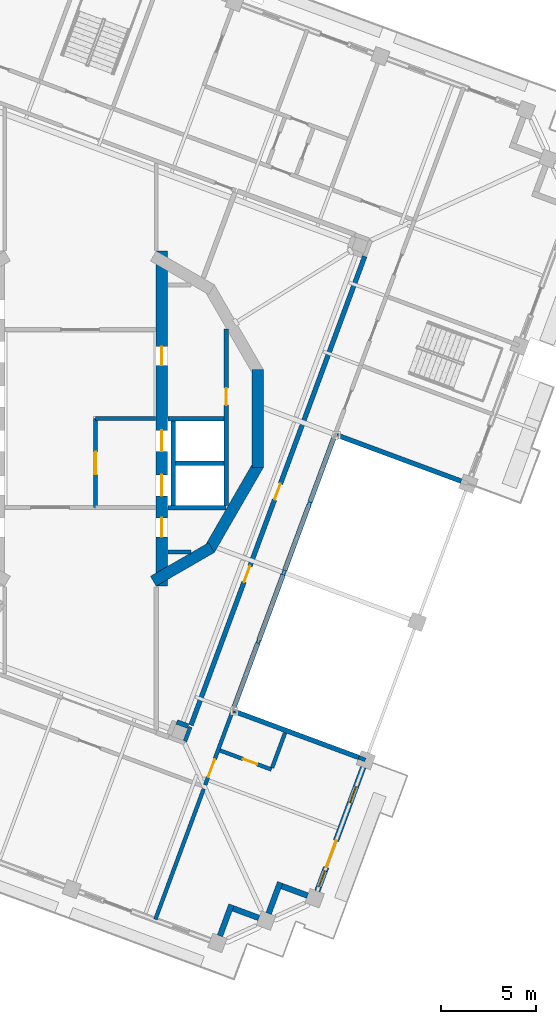
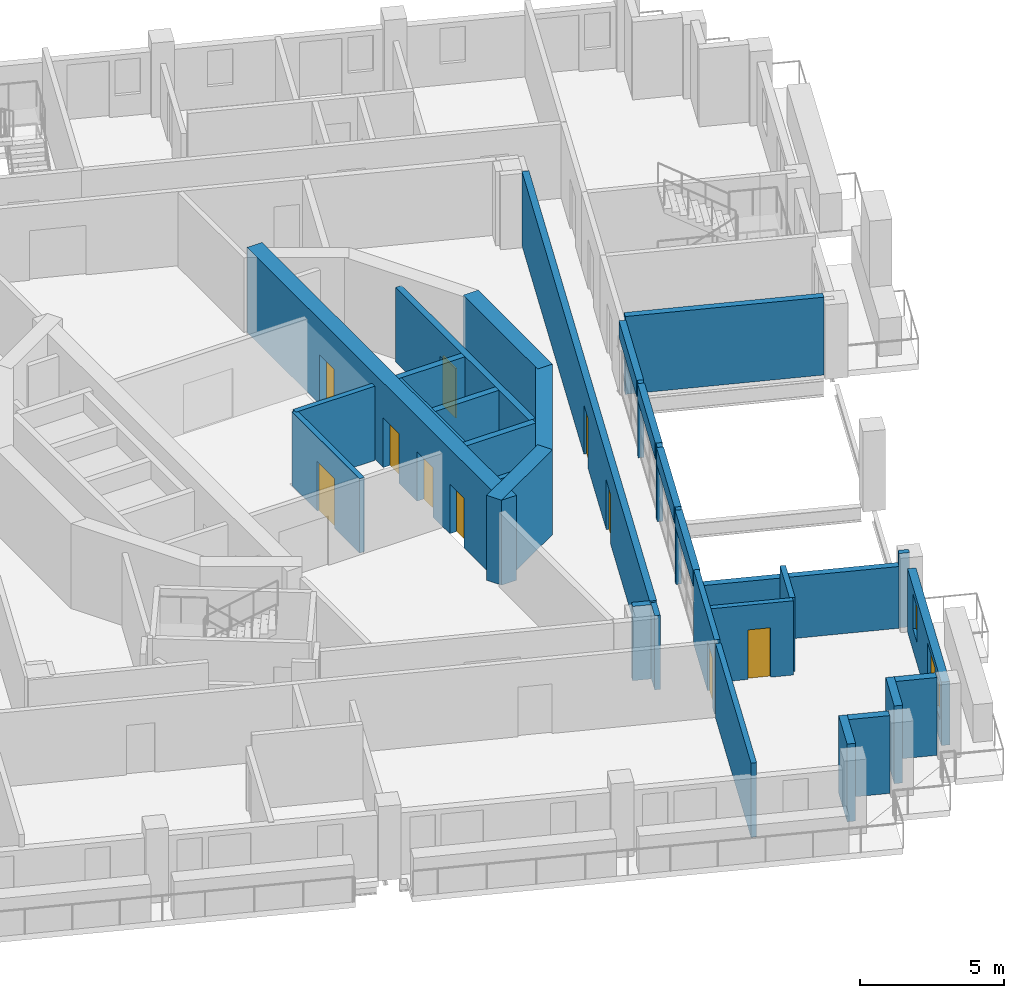
# One storey, part 7 of 19: 34 walls, 11 doors, 2 windows, 13 openings.
"""IFC4 building model written with IfcOpenShell, lengths in metres."""

from ifc_helpers import new_model, si_unit, direction, frame, frame_2d, origin, place, context, subcontext, project, spatial, rectangle, extrude, material, layer, layer_set, type_object, element, fill, save


model = new_model("IFC4")

# Units and contexts
model_context = context("Model", 3, precision=1e-05, world=origin(), true_north=direction((0.0, 1.0)))
body_context = subcontext(model_context, "Body", "Model", "MODEL_VIEW")
ifc_project = project(units=[si_unit("LENGTHUNIT", "METRE"), si_unit("AREAUNIT", "SQUARE_METRE"), si_unit("VOLUMEUNIT", "CUBIC_METRE"), si_unit("PLANEANGLEUNIT", "RADIAN"), si_unit("MASSUNIT", "GRAM", prefix="KILO")], contexts=[model_context])

# Site, building, storey
site_placement = place(None, origin())
site = spatial("IfcSite", under=ifc_project, at=site_placement, CompositionType="ELEMENT")
building_placement = place(site_placement, origin())
building = spatial("IfcBuilding", under=site, at=building_placement, Name="Cantera Rosa Tower", CompositionType="ELEMENT")
storey_placement = place(building_placement, frame((0.0, 0.0, 342.10009765625)))
storey = spatial("IfcBuildingStorey", under=building, at=storey_placement, Name="L77", CompositionType="ELEMENT", Elevation=342.10009765625)

# Wall
ifc_material_1 = material(Name="Gypsum board partition")
ifc_layer_1 = layer(ifc_material_1, 0.199951171875)
ifc_layer_set_1 = layer_set([ifc_layer_1], Name="CORRIDOR WALL 200 H3150")
wall_type_1 = type_object("IfcWallType", Name="CORRIDOR WALL 200 H3150", PredefinedType="PARTITIONING", material=ifc_layer_set_1)
wall_1_placement = place(storey_placement, frame((5.526123046875, -17.031494140625, 0.0), z_axis=(0.0, 0.0, 1.0), x_axis=(0.34764237862, 0.93762720555, 0.0)))
element("IfcWall", 1, at=wall_1_placement, inside=storey, type_object=wall_type_1, Name="CORRIDOR WALL L77-065", PredefinedType="PARTITIONING", context=body_context, shape_type="SweptSolid", body=[
    extrude(rectangle(XDim=0.7998046875, YDim=0.199951171875, at=frame_2d((0.39990234375, 0.0))), origin(), (0.0, 0.0, 1.0), 3.14990234375),
])

# Wall, opening, door
wall_2_placement = place(storey_placement, frame((6.588623046875, -19.3447265625, 0.0), z_axis=(0.0, 0.0, 1.0), x_axis=(0.347478742079, 0.93768786054, 0.0)))
wall_2 = element("IfcWall", 2, at=wall_2_placement, inside=storey, type_object=wall_type_1, Name="CORRIDOR WALL L77-071", PredefinedType="PARTITIONING", context=body_context, shape_type="SweptSolid", body=[
    extrude(rectangle(XDim=4.304931640625, YDim=0.199951171875, at=frame_2d((2.15234375, 0.0))), origin(), (0.0, 0.0, 1.0), 3.14990234375),
])
opening_1_placement = place(wall_2_placement, frame((0.43994140625, 0.0, 0.0)))
opening_1 = element("IfcOpeningElement", 3, at=opening_1_placement, cuts=wall_2, Name="Opening L77-036", PredefinedType="OPENING", context=body_context, shape_type="SweptSolid", body=[
    extrude(rectangle(XDim=1.0, YDim=2.10009765625, at=frame_2d((0.5, 1.050048828125))), frame((0.0, 0.10986328125, 0.0), z_axis=(0.0, -1.0, 0.0), x_axis=(1.0, 0.0, 0.0)), (0.0, 0.0, 1.0), 0.219970703125),
])
ifc_material_2 = material(Name="Timber door leaf", Category="wood")
door_type_1 = type_object("IfcDoorType", Name="ENTRANCE DOOR 1000x2100", OperationType="NOTDEFINED", PredefinedType="DOOR", material=ifc_material_2)
door_1_placement = place(opening_1_placement, origin())
door_1 = element("IfcDoor", 4, at=door_1_placement, inside=storey, type_object=door_type_1, Name="DOOR L77-036", OperationType="NOTDEFINED", OverallHeight=2.10009765625, OverallWidth=1.0, PredefinedType="DOOR", context=body_context, shape_type="SweptSolid", body=[
    extrude(rectangle(XDim=1.0, YDim=2.10009765625, at=frame_2d((0.5, 1.050048828125))), frame((0.0, 0.02490234375, 0.0), z_axis=(0.0, -1.0, 0.0), x_axis=(1.0, 0.0, 0.0)), (0.0, 0.0, 1.0), 0.050048828125),
])
fill(opening_1, door_1)

# Walls
wall_3_placement = place(storey_placement, frame((9.359130859375, -11.86865234375, 0.0), z_axis=(0.0, 0.0, 1.0), x_axis=(0.347396343458, 0.937718390857, 0.0)))
element("IfcWall", 5, at=wall_3_placement, inside=storey, type_object=wall_type_1, Name="CORRIDOR WALL L77-072", PredefinedType="PARTITIONING", context=body_context, shape_type="SweptSolid", body=[
    extrude(rectangle(XDim=0.19384765625, YDim=0.199951171875, at=frame_2d((0.096923828125, 0.0))), origin(), (0.0, 0.0, 1.0), 3.14990234375),
])
wall_4_placement = place(storey_placement, frame((10.69775390625, -8.256103515625, 0.0), z_axis=(0.0, 0.0, 1.0), x_axis=(0.347639521276, 0.937628264957, 0.0)))
element("IfcWall", 6, at=wall_4_placement, inside=storey, type_object=wall_type_1, Name="CORRIDOR WALL L77-073", PredefinedType="PARTITIONING", context=body_context, shape_type="SweptSolid", body=[
    extrude(rectangle(XDim=0.26904296875, YDim=0.199951171875, at=frame_2d((0.134521484375, 0.0))), origin(), (0.0, 0.0, 1.0), 3.14990234375),
])
wall_5_placement = place(storey_placement, frame((12.0625, -4.573486328125, 0.0), z_axis=(0.0, 0.0, 1.0), x_axis=(0.347396343458, 0.937718390857, 0.0)))
element("IfcWall", 7, at=wall_5_placement, inside=storey, type_object=wall_type_1, Name="CORRIDOR WALL L77-074", PredefinedType="PARTITIONING", context=body_context, shape_type="SweptSolid", body=[
    extrude(rectangle(XDim=0.19384765625, YDim=0.199951171875, at=frame_2d((0.096923828125, 0.0))), origin(), (0.0, 0.0, 1.0), 3.14990234375),
])
ifc_material_3 = material(Name="Hollow clay masonry with cantera stone cladding", Category="masonry")
ifc_layer_2 = layer(ifc_material_3, 0.300048828125)
ifc_layer_set_2 = layer_set([ifc_layer_2], Name="EW-LOGGIA 300")
wall_type_2 = type_object("IfcWallType", Name="EW-LOGGIA 300", PredefinedType="SOLIDWALL", material=ifc_layer_set_2)
wall_6_placement = place(storey_placement, frame((7.36865234375, -27.312255859375, 0.0), z_axis=(0.0, 0.0, 1.0), x_axis=(0.34752790836, 0.937669639538, 0.0)))
element("IfcWall", 8, at=wall_6_placement, inside=storey, type_object=wall_type_2, Name="EN-L77-W18a", PredefinedType="SOLIDWALL", context=body_context, shape_type="SweptSolid", body=[
    extrude(rectangle(XDim=1.75, YDim=0.300048828125, at=frame_2d((0.875, 0.0))), origin(), (0.0, 0.0, 1.0), 3.2998046875),
])
wall_7_placement = place(storey_placement, frame((8.065185546875, -25.8642578125, 0.0), z_axis=(0.0, 0.0, 1.0), x_axis=(0.937671557958, -0.347522732201, 0.0)))
element("IfcWall", 9, at=wall_7_placement, inside=storey, type_object=wall_type_2, Name="EN-L77-W18b", PredefinedType="SOLIDWALL", context=body_context, shape_type="SweptSolid", body=[
    extrude(rectangle(XDim=1.449951171875, YDim=0.300048828125, at=frame_2d((0.72509765625, 0.0))), origin(), (0.0, 0.0, 1.0), 3.2998046875),
])
wall_8_placement = place(storey_placement, frame((9.93896484375, -26.132080078125, 0.0), z_axis=(0.0, 0.0, 1.0), x_axis=(0.34748245117, 0.937686486054, 0.0)))
element("IfcWall", 10, at=wall_8_placement, inside=storey, type_object=wall_type_2, Name="EN-L77-W19a", PredefinedType="SOLIDWALL", context=body_context, shape_type="SweptSolid", body=[
    extrude(rectangle(XDim=1.750244140625, YDim=0.300048828125, at=frame_2d((0.875, 0.0))), origin(), (0.0, 0.0, 1.0), 3.2998046875),
])
wall_9_placement = place(storey_placement, frame((10.635498046875, -24.683837890625, 0.0), z_axis=(0.0, 0.0, 1.0), x_axis=(0.937671557958, -0.347522732201, 0.0)))
element("IfcWall", 11, at=wall_9_placement, inside=storey, type_object=wall_type_2, Name="EN-L77-W19b", PredefinedType="SOLIDWALL", context=body_context, shape_type="SweptSolid", body=[
    extrude(rectangle(XDim=1.449951171875, YDim=0.300048828125, at=frame_2d((0.72509765625, 0.0))), origin(), (0.0, 0.0, 1.0), 3.2998046875),
])

# Wall, openings, windows, door
ifc_material_4 = material(Name="Hollow clay masonry with cantera stone cladding", Category="masonry")
ifc_layer_3 = layer(ifc_material_4, 0.300048828125)
ifc_layer_set_3 = layer_set([ifc_layer_3], Name="EW-LOGGIA 300 H2690")
wall_type_3 = type_object("IfcWallType", Name="EW-LOGGIA 300 H2690", PredefinedType="SOLIDWALL", material=ifc_layer_set_3)
wall_10_placement = place(storey_placement, frame((12.50927734375, -24.95166015625, 0.0), z_axis=(0.0, 0.0, 1.0), x_axis=(0.347490919506, 0.937683347864, 0.0)))
wall_10 = element("IfcWall", 12, at=wall_10_placement, inside=storey, type_object=wall_type_3, Name="EN-L77-W20", PredefinedType="SOLIDWALL", context=body_context, shape_type="SweptSolid", body=[
    extrude(rectangle(XDim=6.980224609375, YDim=0.300048828125, at=frame_2d((3.490234375, 0.0))), origin(), (0.0, 0.0, 1.0), 2.68994140625),
])
opening_2_placement = place(wall_10_placement, frame((0.2451171875, 0.0, 0.89990234375)))
opening_2 = element("IfcOpeningElement", 13, at=opening_2_placement, cuts=wall_10, Name="Opening L77-W40", PredefinedType="OPENING", context=body_context, shape_type="SweptSolid", body=[
    extrude(rectangle(XDim=0.89990234375, YDim=1.5, at=frame_2d((0.449951171875, 0.75))), frame((0.0, 0.159912109375, 0.0), z_axis=(0.0, -1.0, 0.0), x_axis=(1.0, 0.0, 0.0)), (0.0, 0.0, 1.0), 0.320068359375),
])
opening_3_placement = place(wall_10_placement, frame((1.344970703125, 0.0, 0.0)))
opening_3 = element("IfcOpeningElement", 14, at=opening_3_placement, cuts=wall_10, Name="Opening L77-TD41", PredefinedType="OPENING", context=body_context, shape_type="SweptSolid", body=[
    extrude(rectangle(XDim=1.5, YDim=2.39990234375, at=frame_2d((0.75, 1.199951171875))), frame((0.0, 0.159912109375, 0.0), z_axis=(0.0, -1.0, 0.0), x_axis=(1.0, 0.0, 0.0)), (0.0, 0.0, 1.0), 0.320068359375),
])
opening_4_placement = place(wall_10_placement, frame((4.985107421875, 0.0, 0.89990234375)))
opening_4 = element("IfcOpeningElement", 15, at=opening_4_placement, cuts=wall_10, Name="Opening L77-W42", PredefinedType="OPENING", context=body_context, shape_type="SweptSolid", body=[
    extrude(rectangle(XDim=0.89990234375, YDim=1.5, at=frame_2d((0.449951171875, 0.75))), frame((0.0, 0.159912109375, 0.0), z_axis=(0.0, -1.0, 0.0), x_axis=(1.0, 0.0, 0.0)), (0.0, 0.0, 1.0), 0.320068359375),
])
ifc_material_5 = material(Name="Aluminium frame with clear glass", Category="aluminium")
window_type = type_object("IfcWindowType", Name="Residential window 900x1500", PartitioningType="SINGLE_PANEL", PredefinedType="WINDOW", material=ifc_material_5)
window_1_placement = place(opening_2_placement, origin())
window_1 = element("IfcWindow", 16, at=window_1_placement, inside=storey, type_object=window_type, Name="WINDOW L77-W40", OverallHeight=1.5, OverallWidth=0.89990234375, PartitioningType="SINGLE_PANEL", PredefinedType="WINDOW", context=body_context, shape_type="SweptSolid", body=[
    extrude(rectangle(XDim=0.89990234375, YDim=1.5, at=frame_2d((0.449951171875, 0.75))), frame((0.0, 0.030029296875, 0.0), z_axis=(0.0, -1.0, 0.0), x_axis=(1.0, 0.0, 0.0)), (0.0, 0.0, 1.0), 0.06005859375),
])
fill(opening_2, window_1)
window_2_placement = place(opening_4_placement, origin())
window_2 = element("IfcWindow", 17, at=window_2_placement, inside=storey, type_object=window_type, Name="WINDOW L77-W42", OverallHeight=1.5, OverallWidth=0.89990234375, PartitioningType="SINGLE_PANEL", PredefinedType="WINDOW", context=body_context, shape_type="SweptSolid", body=[
    extrude(rectangle(XDim=0.89990234375, YDim=1.5, at=frame_2d((0.449951171875, 0.75))), frame((0.0, 0.030029296875, 0.0), z_axis=(0.0, -1.0, 0.0), x_axis=(1.0, 0.0, 0.0)), (0.0, 0.0, 1.0), 0.06005859375),
])
fill(opening_4, window_2)
ifc_material_6 = material(Name="Aluminium frame with clear glass", Category="aluminium")
door_type_2 = type_object("IfcDoorType", Name="TD-R 1500x2400", OperationType="NOTDEFINED", PredefinedType="DOOR", material=ifc_material_6)
door_2_placement = place(opening_3_placement, origin())
door_2 = element("IfcDoor", 18, at=door_2_placement, inside=storey, type_object=door_type_2, Name="LOGGIA DOOR L77-TD41", OperationType="SLIDING_TO_LEFT", OverallHeight=2.39990234375, OverallWidth=1.5, PredefinedType="DOOR", context=body_context, shape_type="SweptSolid", body=[
    extrude(rectangle(XDim=1.5, YDim=2.39990234375, at=frame_2d((0.75, 1.199951171875))), frame((0.0, 0.02490234375, 0.0), z_axis=(0.0, -1.0, 0.0), x_axis=(1.0, 0.0, 0.0)), (0.0, 0.0, 1.0), 0.050048828125),
])
fill(opening_3, door_2)

# Walls
ifc_material_7 = material(Name="Concrete C40/50", Category="concrete")
ifc_layer_4 = layer(ifc_material_7, 0.25)
ifc_layer_set_4 = layer_set([ifc_layer_4], Name="EW-POCKET CHEEK 250")
wall_type_4 = type_object("IfcWallType", Name="EW-POCKET CHEEK 250", PredefinedType="SOLIDWALL", material=ifc_layer_set_4)
wall_11_placement = place(storey_placement, frame((20.10546875, -3.302001953125, 0.0), z_axis=(0.0, 0.0, 1.0), x_axis=(-0.937685216413, 0.347485877297, 0.0)))
element("IfcWall", 19, at=wall_11_placement, inside=storey, type_object=wall_type_4, Name="POCKET CHEEK B L77", PredefinedType="SOLIDWALL", context=body_context, shape_type="SweptSolid", body=[
    extrude(rectangle(XDim=7.0, YDim=0.25, at=frame_2d((3.5, 0.0))), origin(), (0.0, 0.0, 1.0), 3.2998046875),
])
ifc_material_8 = material(Name="Concrete C40/50", Category="concrete")
ifc_layer_5 = layer(ifc_material_8, 0.25)
ifc_layer_set_5 = layer_set([ifc_layer_5], Name="EW-POCKET CHEEK 250 H2620")
wall_type_5 = type_object("IfcWallType", Name="EW-POCKET CHEEK 250 H2620", PredefinedType="SOLIDWALL", material=ifc_layer_set_5)
wall_12_placement = place(storey_placement, frame((14.69873046875, -17.892333984375, 0.0), z_axis=(0.0, 0.0, 1.0), x_axis=(-0.937689427556, 0.34747451338, 0.0)))
element("IfcWall", 20, at=wall_12_placement, inside=storey, type_object=wall_type_5, Name="POCKET CHEEK A L77", PredefinedType="SOLIDWALL", context=body_context, shape_type="SweptSolid", body=[
    extrude(rectangle(XDim=7.000244140625, YDim=0.25, at=frame_2d((3.5, 0.0))), origin(), (0.0, 0.0, 1.0), 2.619873046875),
])
ifc_material_9 = material(Name="Hollow clay masonry with cantera stone cladding", Category="masonry")
ifc_layer_6 = layer(ifc_material_9, 0.25)
ifc_layer_set_6 = layer_set([ifc_layer_6], Name="EW-POCKET REAR 250")
wall_type_6 = type_object("IfcWallType", Name="EW-POCKET REAR 250", PredefinedType="SOLIDWALL", material=ifc_layer_set_6)
wall_13_placement = place(storey_placement, frame((8.08447265625, -15.30810546875, 2.4580078125), z_axis=(0.0, 0.0, 1.0), x_axis=(0.347502945149, 0.937678891259, 0.0)))
element("IfcWall", 21, at=wall_13_placement, inside=storey, type_object=wall_type_6, Name="POCKET SPANDREL L77-1", PredefinedType="SOLIDWALL", context=body_context, shape_type="SweptSolid", body=[
    extrude(rectangle(XDim=3.66796875, YDim=0.25, at=frame_2d((1.833984375, 0.0))), origin(), (0.0, 0.0, 1.0), 0.69189453125),
])
for number, where, z_axis, x_axis, name in (
    (22, (9.426513671875, -11.686767578125, 2.4580078125), (0.0, 0.0, 1.0), (0.347486056262, 0.937685150092, 0.0), "POCKET SPANDREL L77-2"),
    (23, (10.791259765625, -8.00390625, 2.4580078125), (0.0, 0.0, 1.0), (0.347486056262, 0.937685150092, 0.0), "POCKET SPANDREL L77-3"),
):
    element("IfcWall", number, at=place(storey_placement, frame(where, z_axis=z_axis, x_axis=x_axis)), inside=storey, type_object=wall_type_6, Name=name, PredefinedType="SOLIDWALL", context=body_context, shape_type="SweptSolid", body=[
        extrude(rectangle(XDim=3.658447265625, YDim=0.25, at=frame_2d((1.8291015625, 0.0))), origin(), (0.0, 0.0, 1.0), 0.69189453125),
    ])
wall_14_placement = place(storey_placement, frame((12.1298828125, -4.3916015625, 2.4580078125), z_axis=(0.0, 0.0, 1.0), x_axis=(0.347502945149, 0.937678891259, 0.0)))
element("IfcWall", 24, at=wall_14_placement, inside=storey, type_object=wall_type_6, Name="POCKET SPANDREL L77-4", PredefinedType="SOLIDWALL", context=body_context, shape_type="SweptSolid", body=[
    extrude(rectangle(XDim=3.66796875, YDim=0.25, at=frame_2d((1.833984375, 0.0))), origin(), (0.0, 0.0, 1.0), 0.69189453125),
])
ifc_material_10 = material(Name="Gypsum board partition")
ifc_layer_7 = layer(ifc_material_10, 0.199951171875)
ifc_layer_set_7 = layer_set([ifc_layer_7], Name="PARTITION 200 H3150")
wall_type_7 = type_object("IfcWallType", Name="PARTITION 200 H3150", PredefinedType="PARTITIONING", material=ifc_layer_set_7)
wall_15_placement = place(storey_placement, frame((5.84765625, -7.050048828125, 0.0), z_axis=(0.0, 0.0, 1.0), x_axis=(-1.0, 0.0, 0.0)))
element("IfcWall", 25, at=wall_15_placement, inside=storey, type_object=wall_type_7, Name="PARTITION L77-068", PredefinedType="PARTITIONING", context=body_context, shape_type="SweptSolid", body=[
    extrude(rectangle(XDim=1.2177734375, YDim=0.199951171875, at=frame_2d((0.60888671875, 0.0))), origin(), (0.0, 0.0, 1.0), 3.14990234375),
])
wall_16_placement = place(storey_placement, frame((14.698486328125, -17.892333984375, 0.0), z_axis=(0.0, 0.0, 1.0), x_axis=(0.937677152558, -0.347507636708, 0.0)))
element("IfcWall", 26, at=wall_16_placement, inside=storey, type_object=wall_type_7, Name="PARTITION L77-079", PredefinedType="PARTITIONING", context=body_context, shape_type="SweptSolid", body=[
    extrude(rectangle(XDim=0.370361328125, YDim=0.199951171875, at=frame_2d((0.18505859375, 0.0))), origin(), (0.0, 0.0, 1.0), 3.14990234375),
])

# Wall, opening, door
wall_17_placement = place(storey_placement, frame((10.089599609375, -18.53076171875, 0.0), z_axis=(0.0, 0.0, 1.0), x_axis=(-0.937671557958, 0.347522732201, 0.0)))
wall_17 = element("IfcWall", 27, at=wall_17_placement, inside=storey, type_object=wall_type_7, Name="PARTITION L77-082", PredefinedType="PARTITIONING", context=body_context, shape_type="SweptSolid", body=[
    extrude(rectangle(XDim=2.89990234375, YDim=0.199951171875, at=frame_2d((1.449951171875, 0.0))), origin(), (0.0, 0.0, 1.0), 3.14990234375),
])
opening_5_placement = place(wall_17_placement, frame((0.800048828125, 0.0, 0.0)))
opening_5 = element("IfcOpeningElement", 28, at=opening_5_placement, cuts=wall_17, Name="Opening L77-037", PredefinedType="OPENING", context=body_context, shape_type="SweptSolid", body=[
    extrude(rectangle(XDim=0.800048828125, YDim=2.10009765625, at=frame_2d((0.39990234375, 1.050048828125))), frame((0.0, 0.10986328125, 0.0), z_axis=(0.0, -1.0, 0.0), x_axis=(1.0, 0.0, 0.0)), (0.0, 0.0, 1.0), 0.219970703125),
])
ifc_material_11 = material(Name="Timber door leaf", Category="wood")
door_type_3 = type_object("IfcDoorType", Name="BATHROOM DOOR 800x2100", OperationType="NOTDEFINED", PredefinedType="DOOR", material=ifc_material_11)
door_3_placement = place(opening_5_placement, origin())
door_3 = element("IfcDoor", 29, at=door_3_placement, inside=storey, type_object=door_type_3, Name="DOOR L77-037", OperationType="NOTDEFINED", OverallHeight=2.10009765625, OverallWidth=0.800048828125, PredefinedType="DOOR", context=body_context, shape_type="SweptSolid", body=[
    extrude(rectangle(XDim=0.800048828125, YDim=2.10009765625, at=frame_2d((0.39990234375, 1.050048828125))), frame((0.0, 0.02490234375, 0.0), z_axis=(0.0, -1.0, 0.0), x_axis=(1.0, 0.0, 0.0)), (0.0, 0.0, 1.0), 0.050048828125),
])
fill(opening_5, door_3)

# Walls
wall_18_placement = place(storey_placement, frame((10.80712890625, -16.59423828125, 0.0), z_axis=(0.0, 0.0, 1.0), x_axis=(-0.347362910671, -0.937730776017, 0.0)))
element("IfcWall", 30, at=wall_18_placement, inside=storey, type_object=wall_type_7, Name="PARTITION L77-084", PredefinedType="PARTITIONING", context=body_context, shape_type="SweptSolid", body=[
    extrude(rectangle(XDim=1.965087890625, YDim=0.199951171875, at=frame_2d((0.982421875, 0.0))), origin(), (0.0, 0.0, 1.0), 3.14990234375),
])
ifc_material_12 = material(Name="Gypsum board partition")
ifc_layer_8 = layer(ifc_material_12, 0.199951171875)
ifc_layer_set_8 = layer_set([ifc_layer_8], Name="PARTY WALL 200 H3150")
wall_type_8 = type_object("IfcWallType", Name="PARTY WALL 200 H3150", PredefinedType="PARTITIONING", material=ifc_layer_set_8)
wall_19_placement = place(storey_placement, frame((3.958251953125, -26.443115234375, 0.0), z_axis=(0.0, 0.0, 1.0), x_axis=(0.347473379308, 0.937689847803, 0.0)))
element("IfcWall", 31, at=wall_19_placement, inside=storey, type_object=wall_type_8, Name="PARTY WALL L77-055", PredefinedType="PARTITIONING", context=body_context, shape_type="SweptSolid", body=[
    extrude(rectangle(XDim=7.35009765625, YDim=0.199951171875, at=frame_2d((3.675048828125, 0.0))), origin(), (0.0, 0.0, 1.0), 3.14990234375),
])
ifc_material_13 = material(Name="Concrete C50/60", Category="concrete")
ifc_layer_9 = layer(ifc_material_13, 0.60009765625)
ifc_layer_set_9 = layer_set([ifc_layer_9], Name="RC CORE WALL 600 C50/60")
wall_type_9 = type_object("IfcWallType", Name="RC CORE WALL 600 C50/60", PredefinedType="SHEAR", material=ifc_layer_set_9)
for number, where, z_axis, x_axis, name in (
    (32, (9.359375, 2.588134765625, 0.0), (0.0, 0.0, 1.0), (0.0, -1.0, 0.0), "CW-E3 L77"),
    (33, (9.3994140625, -2.438232421875, 0.0), (0.0, 0.0, 1.0), (-0.499989188378, -0.866031645787, 0.0), "CW-E4 L77"),
):
    element("IfcWall", number, at=place(storey_placement, frame(where, z_axis=z_axis, x_axis=x_axis)), inside=storey, type_object=wall_type_9, Name=name, PredefinedType="SHEAR", context=body_context, shape_type="SweptSolid", body=[
        extrude(rectangle(XDim=5.17626953125, YDim=0.60009765625, at=frame_2d((2.588134765625, 0.0))), origin(), (0.0, 0.0, 1.0), 3.599853515625),
    ])
wall_20_placement = place(storey_placement, frame((6.921142578125, -6.811279296875, 0.0), z_axis=(0.0, 0.0, 1.0), x_axis=(-0.866039982607, -0.499974747889, 0.0)))
element("IfcWall", 34, at=wall_20_placement, inside=storey, type_object=wall_type_9, Name="CW-E5 L77", PredefinedType="SHEAR", context=body_context, shape_type="SweptSolid", body=[
    extrude(rectangle(XDim=3.546142578125, YDim=0.60009765625, at=frame_2d((1.77294921875, 0.0))), origin(), (0.0, 0.0, 1.0), 3.599853515625),
])

# Wall, openings, doors
wall_21_placement = place(storey_placement, frame((4.300048828125, -8.84423828125, 0.0), z_axis=(0.0, 0.0, 1.0), x_axis=(0.0, 1.0, 0.0)))
wall_21 = element("IfcWall", 35, at=wall_21_placement, inside=storey, type_object=wall_type_9, Name="CW-E6 L77", PredefinedType="SHEAR", context=body_context, shape_type="SweptSolid", body=[
    extrude(rectangle(XDim=17.6884765625, YDim=0.60009765625, at=frame_2d((8.84423828125, 0.0))), origin(), (0.0, 0.0, 1.0), 3.599853515625),
])
opening_6_placement = place(wall_21_placement, frame((4.76904296875, 0.0, 0.0)))
opening_6 = element("IfcOpeningElement", 36, at=opening_6_placement, cuts=wall_21, Name="Opening LD-FF1-L77", PredefinedType="OPENING", context=body_context, shape_type="SweptSolid", body=[
    extrude(rectangle(XDim=1.10009765625, YDim=2.10009765625, at=frame_2d((0.550048828125, 1.050048828125))), frame((0.0, 0.31005859375, 0.0), z_axis=(0.0, -1.0, 0.0), x_axis=(1.0, 0.0, 0.0)), (0.0, 0.0, 1.0), 0.6201171875),
])
opening_7_placement = place(wall_21_placement, frame((7.119140625, 0.0, 0.0)))
opening_7 = element("IfcOpeningElement", 37, at=opening_7_placement, cuts=wall_21, Name="Opening LD-FF2-L77", PredefinedType="OPENING", context=body_context, shape_type="SweptSolid", body=[
    extrude(rectangle(XDim=1.10009765625, YDim=2.10009765625, at=frame_2d((0.550048828125, 1.050048828125))), frame((0.0, 0.31005859375, 0.0), z_axis=(0.0, -1.0, 0.0), x_axis=(1.0, 0.0, 0.0)), (0.0, 0.0, 1.0), 0.6201171875),
])
opening_8_placement = place(wall_21_placement, frame((2.5966796875, 0.0, 0.0)))
opening_8 = element("IfcOpeningElement", 38, at=opening_8_placement, cuts=wall_21, Name="Opening SD-L77-17", PredefinedType="OPENING", context=body_context, shape_type="SweptSolid", body=[
    extrude(rectangle(XDim=1.0, YDim=2.10009765625, at=frame_2d((0.5, 1.050048828125))), frame((0.0, 0.31005859375, 0.0), z_axis=(0.0, -1.0, 0.0), x_axis=(1.0, 0.0, 0.0)), (0.0, 0.0, 1.0), 0.6201171875),
])
opening_9_placement = place(wall_21_placement, frame((11.6494140625, 0.0, 0.0)))
opening_9 = element("IfcOpeningElement", 39, at=opening_9_placement, cuts=wall_21, Name="Opening SD-L77-18", PredefinedType="OPENING", context=body_context, shape_type="SweptSolid", body=[
    extrude(rectangle(XDim=1.0, YDim=2.10009765625, at=frame_2d((0.5, 1.050048828125))), frame((0.0, 0.31005859375, 0.0), z_axis=(0.0, -1.0, 0.0), x_axis=(1.0, 0.0, 0.0)), (0.0, 0.0, 1.0), 0.6201171875),
])
ifc_material_14 = material(Name="Steel S355J2 (EN 10025-2)", Category="steel")
door_type_4 = type_object("IfcDoorType", Name="LANDING DOOR 1100x2100", OperationType="NOTDEFINED", PredefinedType="DOOR", material=ifc_material_14)
door_4_placement = place(opening_6_placement, origin())
door_4 = element("IfcDoor", 40, at=door_4_placement, inside=storey, type_object=door_type_4, Name="LANDING DOOR FF1 L77", OperationType="SLIDING_TO_LEFT", OverallHeight=2.10009765625, OverallWidth=1.10009765625, PredefinedType="DOOR", context=body_context, shape_type="SweptSolid", body=[
    extrude(rectangle(XDim=1.10009765625, YDim=2.10009765625, at=frame_2d((0.550048828125, 1.050048828125))), frame((0.0, 0.02490234375, 0.0), z_axis=(0.0, -1.0, 0.0), x_axis=(1.0, 0.0, 0.0)), (0.0, 0.0, 1.0), 0.050048828125),
])
fill(opening_6, door_4)
door_5_placement = place(opening_7_placement, origin())
door_5 = element("IfcDoor", 41, at=door_5_placement, inside=storey, type_object=door_type_4, Name="LANDING DOOR FF2 L77", OperationType="SLIDING_TO_LEFT", OverallHeight=2.10009765625, OverallWidth=1.10009765625, PredefinedType="DOOR", context=body_context, shape_type="SweptSolid", body=[
    extrude(rectangle(XDim=1.10009765625, YDim=2.10009765625, at=frame_2d((0.550048828125, 1.050048828125))), frame((0.0, 0.02490234375, 0.0), z_axis=(0.0, -1.0, 0.0), x_axis=(1.0, 0.0, 0.0)), (0.0, 0.0, 1.0), 0.050048828125),
])
fill(opening_7, door_5)
ifc_material_15 = material(Name="Timber door leaf", Category="wood")
door_type_5 = type_object("IfcDoorType", Name="SERVICE DOOR 1000x2100", OperationType="NOTDEFINED", PredefinedType="DOOR", material=ifc_material_15)
door_6_placement = place(opening_8_placement, origin())
door_6 = element("IfcDoor", 42, at=door_6_placement, inside=storey, type_object=door_type_5, Name="DOOR L77-SD17", OperationType="NOTDEFINED", OverallHeight=2.10009765625, OverallWidth=1.0, PredefinedType="DOOR", context=body_context, shape_type="SweptSolid", body=[
    extrude(rectangle(XDim=1.0, YDim=2.10009765625, at=frame_2d((0.5, 1.050048828125))), frame((0.0, 0.02490234375, 0.0), z_axis=(0.0, -1.0, 0.0), x_axis=(1.0, 0.0, 0.0)), (0.0, 0.0, 1.0), 0.050048828125),
])
fill(opening_8, door_6)
door_7_placement = place(opening_9_placement, origin())
door_7 = element("IfcDoor", 43, at=door_7_placement, inside=storey, type_object=door_type_5, Name="DOOR L77-SD18", OperationType="NOTDEFINED", OverallHeight=2.10009765625, OverallWidth=1.0, PredefinedType="DOOR", context=body_context, shape_type="SweptSolid", body=[
    extrude(rectangle(XDim=1.0, YDim=2.10009765625, at=frame_2d((0.5, 1.050048828125))), frame((0.0, 0.02490234375, 0.0), z_axis=(0.0, -1.0, 0.0), x_axis=(1.0, 0.0, 0.0)), (0.0, 0.0, 1.0), 0.050048828125),
])
fill(opening_9, door_7)

# Walls
ifc_material_16 = material(Name="Masonry blockwork", Category="masonry")
ifc_layer_10 = layer(ifc_material_16, 0.25)
ifc_layer_set_10 = layer_set([ifc_layer_10], Name="SHAFT WALL 250 H3150")
wall_type_10 = type_object("IfcWallType", Name="SHAFT WALL 250 H3150", PredefinedType="SOLIDWALL", material=ifc_layer_set_10)
wall_22_placement = place(storey_placement, frame((4.6298828125, 0.0, 0.0), z_axis=(0.0, 0.0, 1.0), x_axis=(1.0, 0.0, 0.0)))
element("IfcWall", 44, at=wall_22_placement, inside=storey, type_object=wall_type_10, Name="SHAFT WALL L77-060", PredefinedType="SOLIDWALL", context=body_context, shape_type="SweptSolid", body=[
    extrude(rectangle(XDim=2.945068359375, YDim=0.25, at=frame_2d((1.47265625, 0.0))), origin(), (0.0, 0.0, 1.0), 3.14990234375),
])
wall_23_placement = place(storey_placement, frame((4.89990234375, -0.125, 0.0), z_axis=(0.0, 0.0, 1.0), x_axis=(0.0, -1.0, 0.0)))
element("IfcWall", 45, at=wall_23_placement, inside=storey, type_object=wall_type_10, Name="SHAFT WALL L77-063", PredefinedType="SOLIDWALL", context=body_context, shape_type="SweptSolid", body=[
    extrude(rectangle(XDim=4.449951171875, YDim=0.25, at=frame_2d((2.22509765625, 0.0))), origin(), (0.0, 0.0, 1.0), 3.14990234375),
])
wall_24_placement = place(storey_placement, frame((5.691650390625, -16.23974609375, 0.0), z_axis=(0.0, 0.0, 1.0), x_axis=(-0.937670508839, 0.347525562877, 0.0)))
element("IfcWall", 46, at=wall_24_placement, inside=storey, type_object=wall_type_10, Name="SHAFT WALL L77-066", PredefinedType="SOLIDWALL", context=body_context, shape_type="SweptSolid", body=[
    extrude(rectangle(XDim=0.639892578125, YDim=0.25, at=frame_2d((0.31982421875, 0.0))), origin(), (0.0, 0.0, 1.0), 3.14990234375),
])

# Wall, openings, doors
wall_25_placement = place(storey_placement, frame((5.8388671875, -16.1875, 0.0), z_axis=(0.0, 0.0, 1.0), x_axis=(0.347484524478, 0.937685717737, 0.0)))
wall_25 = element("IfcWall", 47, at=wall_25_placement, inside=storey, type_object=wall_type_10, Name="SHAFT WALL L77-067", PredefinedType="SOLIDWALL", context=body_context, shape_type="SweptSolid", body=[
    extrude(rectangle(XDim=26.39990234375, YDim=0.25, at=frame_2d((13.199951171875, 0.0))), origin(), (0.0, 0.0, 1.0), 3.14990234375),
])
opening_10_placement = place(wall_25_placement, frame((8.0625, 0.0, 0.0)))
opening_10 = element("IfcOpeningElement", 48, at=opening_10_placement, cuts=wall_25, Name="Opening L77-007", PredefinedType="OPENING", context=body_context, shape_type="SweptSolid", body=[
    extrude(rectangle(XDim=0.89990234375, YDim=2.10009765625, at=frame_2d((0.449951171875, 1.050048828125))), frame((0.0, 0.135009765625, 0.0), z_axis=(0.0, -1.0, 0.0), x_axis=(1.0, 0.0, 0.0)), (0.0, 0.0, 1.0), 0.27001953125),
])
opening_11_placement = place(wall_25_placement, frame((12.699951171875, 0.0, 0.0)))
opening_11 = element("IfcOpeningElement", 49, at=opening_11_placement, cuts=wall_25, Name="Opening L77-039", PredefinedType="OPENING", context=body_context, shape_type="SweptSolid", body=[
    extrude(rectangle(XDim=0.89990234375, YDim=2.10009765625, at=frame_2d((0.449951171875, 1.050048828125))), frame((0.0, 0.135009765625, 0.0), z_axis=(0.0, -1.0, 0.0), x_axis=(1.0, 0.0, 0.0)), (0.0, 0.0, 1.0), 0.27001953125),
])
ifc_material_17 = material(Name="Timber door leaf", Category="wood")
door_type_6 = type_object("IfcDoorType", Name="SERVICE DOOR 900x2100", OperationType="NOTDEFINED", PredefinedType="DOOR", material=ifc_material_17)
door_8_placement = place(opening_10_placement, origin())
door_8 = element("IfcDoor", 50, at=door_8_placement, inside=storey, type_object=door_type_6, Name="RISER DOOR L77-007", OperationType="NOTDEFINED", OverallHeight=2.10009765625, OverallWidth=0.89990234375, PredefinedType="DOOR", context=body_context, shape_type="SweptSolid", body=[
    extrude(rectangle(XDim=0.89990234375, YDim=2.10009765625, at=frame_2d((0.449951171875, 1.050048828125))), frame((0.0, 0.02490234375, 0.0), z_axis=(0.0, -1.0, 0.0), x_axis=(1.0, 0.0, 0.0)), (0.0, 0.0, 1.0), 0.050048828125),
])
fill(opening_10, door_8)
door_9_placement = place(opening_11_placement, origin())
door_9 = element("IfcDoor", 51, at=door_9_placement, inside=storey, type_object=door_type_6, Name="RISER DOOR L77-039", OperationType="NOTDEFINED", OverallHeight=2.10009765625, OverallWidth=0.89990234375, PredefinedType="DOOR", context=body_context, shape_type="SweptSolid", body=[
    extrude(rectangle(XDim=0.89990234375, YDim=2.10009765625, at=frame_2d((0.449951171875, 1.050048828125))), frame((0.0, 0.02490234375, 0.0), z_axis=(0.0, -1.0, 0.0), x_axis=(1.0, 0.0, 0.0)), (0.0, 0.0, 1.0), 0.050048828125),
])
fill(opening_11, door_9)

# Wall
wall_26_placement = place(storey_placement, frame((7.699951171875, -4.699951171875, 0.0), z_axis=(0.0, 0.0, 1.0), x_axis=(-1.0, 0.0, 0.0)))
element("IfcWall", 52, at=wall_26_placement, inside=storey, type_object=wall_type_10, Name="SHAFT WALL L77-076", PredefinedType="SOLIDWALL", context=body_context, shape_type="SweptSolid", body=[
    extrude(rectangle(XDim=3.070068359375, YDim=0.25, at=frame_2d((1.53515625, 0.0))), origin(), (0.0, 0.0, 1.0), 3.14990234375),
])

# Wall, opening, door
wall_27_placement = place(storey_placement, frame((7.699951171875, -4.580078125, 0.0), z_axis=(0.0, 0.0, 1.0), x_axis=(0.0, 1.0, 0.0)))
wall_27 = element("IfcWall", 53, at=wall_27_placement, inside=storey, type_object=wall_type_10, Name="SHAFT WALL L77-077", PredefinedType="SOLIDWALL", context=body_context, shape_type="SweptSolid", body=[
    extrude(rectangle(XDim=9.3017578125, YDim=0.25, at=frame_2d((4.65087890625, 0.0))), origin(), (0.0, 0.0, 1.0), 3.14990234375),
])
opening_12_placement = place(wall_27_placement, frame((5.2900390625, 0.0, 0.0)))
opening_12 = element("IfcOpeningElement", 54, at=opening_12_placement, cuts=wall_27, Name="Opening L77-040", PredefinedType="OPENING", context=body_context, shape_type="SweptSolid", body=[
    extrude(rectangle(XDim=0.89990234375, YDim=2.10009765625, at=frame_2d((0.449951171875, 1.050048828125))), frame((0.0, 0.135009765625, 0.0), z_axis=(0.0, -1.0, 0.0), x_axis=(1.0, 0.0, 0.0)), (0.0, 0.0, 1.0), 0.27001953125),
])
door_10_placement = place(opening_12_placement, origin())
door_10 = element("IfcDoor", 55, at=door_10_placement, inside=storey, type_object=door_type_6, Name="RISER DOOR L77-040", OperationType="NOTDEFINED", OverallHeight=2.10009765625, OverallWidth=0.89990234375, PredefinedType="DOOR", context=body_context, shape_type="SweptSolid", body=[
    extrude(rectangle(XDim=0.89990234375, YDim=2.10009765625, at=frame_2d((0.449951171875, 1.050048828125))), frame((0.0, 0.02490234375, 0.0), z_axis=(0.0, -1.0, 0.0), x_axis=(1.0, 0.0, 0.0)), (0.0, 0.0, 1.0), 0.050048828125),
])
fill(opening_12, door_10)

# Wall
wall_28_placement = place(storey_placement, frame((7.574951171875, -2.35009765625, 0.0), z_axis=(0.0, 0.0, 1.0), x_axis=(-1.0, 0.0, 0.0)))
element("IfcWall", 56, at=wall_28_placement, inside=storey, type_object=wall_type_10, Name="SHAFT WALL L77-078", PredefinedType="SOLIDWALL", context=body_context, shape_type="SweptSolid", body=[
    extrude(rectangle(XDim=2.554931640625, YDim=0.25, at=frame_2d((1.27734375, 0.0))), origin(), (0.0, 0.0, 1.0), 3.14990234375),
])

# Wall, opening, door
ifc_material_18 = material(Name="Concrete C50/60", Category="concrete")
ifc_layer_11 = layer(ifc_material_18, 0.199951171875)
ifc_layer_set_11 = layer_set([ifc_layer_11], Name="STAIR WALL 200 H3150")
wall_type_11 = type_object("IfcWallType", Name="STAIR WALL 200 H3150", PredefinedType="SOLIDWALL", material=ifc_layer_set_11)
wall_29_placement = place(storey_placement, frame((0.800048828125, -4.699951171875, 0.0), z_axis=(0.0, 0.0, 1.0), x_axis=(0.0, 1.0, 0.0)))
wall_29 = element("IfcWall", 57, at=wall_29_placement, inside=storey, type_object=wall_type_11, Name="STAIR WALL L77-052", PredefinedType="SOLIDWALL", context=body_context, shape_type="SweptSolid", body=[
    extrude(rectangle(XDim=4.699951171875, YDim=0.199951171875, at=frame_2d((2.35009765625, 0.0))), origin(), (0.0, 0.0, 1.0), 3.14990234375),
])
opening_13_placement = place(wall_29_placement, frame((1.75, 0.0, 0.0)))
opening_13 = element("IfcOpeningElement", 58, at=opening_13_placement, cuts=wall_29, Name="Opening L77-013", PredefinedType="OPENING", context=body_context, shape_type="SweptSolid", body=[
    extrude(rectangle(XDim=1.199951171875, YDim=2.10009765625, at=frame_2d((0.60009765625, 1.050048828125))), frame((0.0, 0.10986328125, 0.0), z_axis=(0.0, -1.0, 0.0), x_axis=(1.0, 0.0, 0.0)), (0.0, 0.0, 1.0), 0.219970703125),
])
ifc_material_19 = material(Name="Steel S355J2 (EN 10025-2)", Category="steel")
door_type_7 = type_object("IfcDoorType", Name="FIRE DOOR 1200x2100", OperationType="NOTDEFINED", PredefinedType="DOOR", material=ifc_material_19)
door_11_placement = place(opening_13_placement, origin())
door_11 = element("IfcDoor", 59, at=door_11_placement, inside=storey, type_object=door_type_7, Name="DOOR L77-013", OperationType="NOTDEFINED", OverallHeight=2.10009765625, OverallWidth=1.199951171875, PredefinedType="DOOR", context=body_context, shape_type="SweptSolid", body=[
    extrude(rectangle(XDim=1.199951171875, YDim=2.10009765625, at=frame_2d((0.60009765625, 1.050048828125))), frame((0.0, 0.02490234375, 0.0), z_axis=(0.0, -1.0, 0.0), x_axis=(1.0, 0.0, 0.0)), (0.0, 0.0, 1.0), 0.050048828125),
])
fill(opening_13, door_11)

# Wall
wall_30_placement = place(storey_placement, frame((0.800048828125, 0.0, 0.0), z_axis=(0.0, 0.0, 1.0), x_axis=(1.0, 0.0, 0.0)))
element("IfcWall", 60, at=wall_30_placement, inside=storey, type_object=wall_type_11, Name="STAIR WALL L77-053", PredefinedType="SOLIDWALL", context=body_context, shape_type="SweptSolid", body=[
    extrude(rectangle(XDim=3.169921875, YDim=0.199951171875, at=frame_2d((1.5849609375, 0.0))), origin(), (0.0, 0.0, 1.0), 3.14990234375),
])

save(model, "model.ifc")
